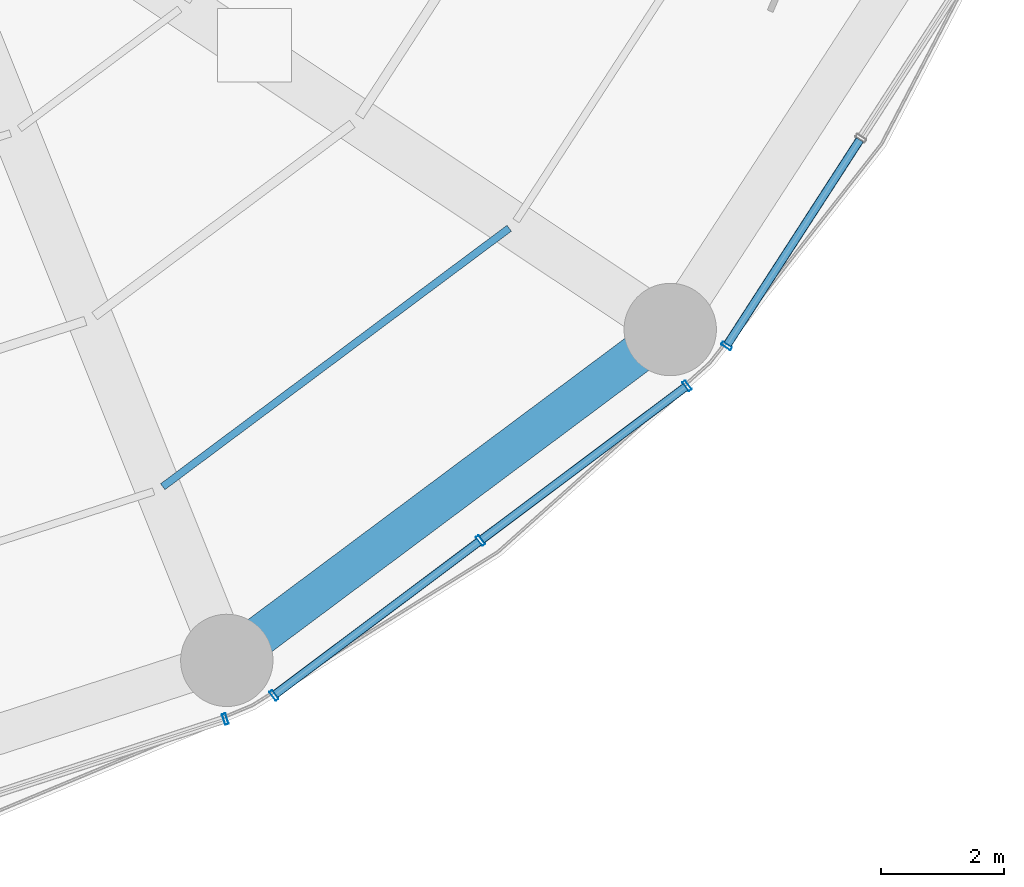
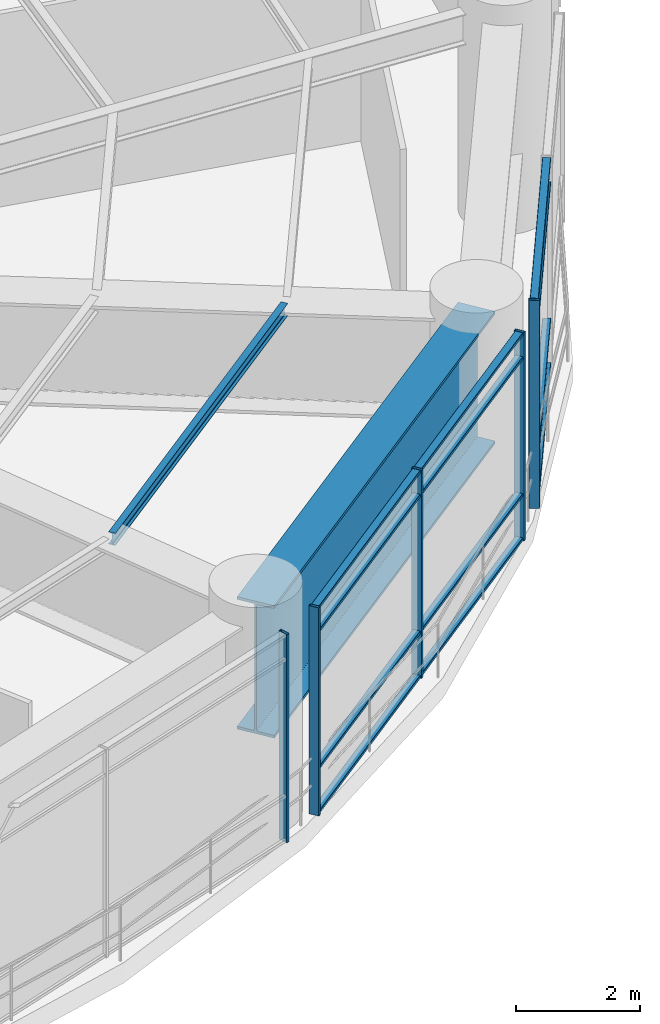
# One storey, part 20 of 52: 17 members, 2 beams, 3 elements without a shape of their own.
"""IFC4 building model written with IfcOpenShell, lengths in metres."""

from ifc_helpers import new_model, si_unit, direction, frame, origin, origin_2d, place, context, subcontext, project, spatial, hollow_rectangle, i_section, extrude, material, layer, layer_set, material_profile, profile_set, type_object, element, aggregate, save


model = new_model("IFC4")

# Units and contexts
model_context = context("Model", 3, precision=1e-05, world=origin(), true_north=direction((0.0, 1.0)))
body_context = subcontext(model_context, "Body", "Model", "MODEL_VIEW")
ifc_project = project(units=[si_unit("LENGTHUNIT", "METRE"), si_unit("AREAUNIT", "SQUARE_METRE"), si_unit("VOLUMEUNIT", "CUBIC_METRE"), si_unit("PLANEANGLEUNIT", "RADIAN"), si_unit("MASSUNIT", "GRAM", prefix="KILO")], contexts=[model_context])

# Site, building, storey
site_placement = place(None, origin())
site = spatial("IfcSite", under=ifc_project, at=site_placement, CompositionType="ELEMENT")
building_placement = place(site_placement, origin())
building = spatial("IfcBuilding", under=site, at=building_placement, Name="Kelanora Arch Commons", CompositionType="ELEMENT")
storey_placement = place(building_placement, frame((0.0, 0.0, 13.5)))
storey = spatial("IfcBuildingStorey", under=building, at=storey_placement, Name="L03", CompositionType="ELEMENT", Elevation=13.5)

# Beams
ifc_material_1 = material(Name="Steel S355", Category="steel")
ifc_material_profile_1 = material_profile(ifc_material_1, i_section(OverallWidth=0.1201171875, OverallDepth=0.239990234375, WebThickness=0.006103515625, FlangeThickness=0.009765625, FilletRadius=0.014892578125, at=origin_2d()), Name="IPE240")
ifc_profile_set_1 = profile_set([ifc_material_profile_1], Name="Steel S355")
beam_type_1 = type_object("IfcBeamType", Name="BM-JST-02", PredefinedType="JOIST", material=ifc_profile_set_1)
beam_1_placement = place(storey_placement, frame((86.5, 39.9677734375, 3.97998046875), z_axis=(0.80149131963, 0.598006408459, 0.0), x_axis=(-0.598006408459, 0.80149131963, 0.0)))
element("IfcBeam", 1, at=beam_1_placement, inside=storey, type_object=beam_type_1, Name="Secondary Chord Joist BJC-30 L03", PredefinedType="JOIST", context=body_context, shape_type="SweptSolid", body=[
    extrude(i_section(OverallWidth=0.1201171875, OverallDepth=0.239990234375, WebThickness=0.006103515625, FlangeThickness=0.009765625, FilletRadius=0.014892578125, at=origin_2d()), origin(), (0.0, 0.0, 1.0), 7.021240234375),
])
ifc_material_profile_2 = material_profile(ifc_material_1, i_section(OverallWidth=0.64990234375, OverallDepth=2.60009765625, WebThickness=0.034912109375, FlangeThickness=0.054931640625, FilletRadius=0.028076171875, at=origin_2d()), Name="PG2600x650")
ifc_profile_set_2 = profile_set([ifc_material_profile_2], Name="Steel S355")
beam_type_2 = type_object("IfcBeamType", Name="BM-XFER-ARCH", PredefinedType="USERDEFINED", material=ifc_profile_set_2)
beam_2_placement = place(storey_placement, frame((87.5400390625, 37.14599609375, 2.800048828125), z_axis=(0.801467504127, 0.598038326388, 0.0), x_axis=(-0.598038326388, 0.801467504127, 0.0)))
element("IfcBeam", 2, at=beam_2_placement, inside=storey, type_object=beam_type_2, Name="Perimeter Spandrel Beam BS-30 L03", ObjectType="TRANSFER_GIRDER", PredefinedType="USERDEFINED", context=body_context, shape_type="SweptSolid", body=[
    extrude(i_section(OverallWidth=0.64990234375, OverallDepth=2.60009765625, WebThickness=0.034912109375, FlangeThickness=0.054931640625, FilletRadius=0.028076171875, at=origin_2d()), origin(), (0.0, 0.0, 1.0), 8.989013671875),
])

# Curtain wall, member
ifc_material_2 = material(Name="Terracotta ceramic-fritted low-E glass and aluminium", Category="masonry")
ifc_layer = layer(ifc_material_2, 0.2099609375)
ifc_layer_set = layer_set([ifc_layer], Name="Terracotta ceramic-fritted low-E glass and aluminium")
curtain_wall_type = type_object("IfcCurtainWallType", Name="CW-SYS-04", PredefinedType="NOTDEFINED", material=ifc_layer_set)
curtain_wall_1_placement = place(storey_placement, origin())
curtain_wall_1 = element("IfcCurtainWall", 3, at=curtain_wall_1_placement, inside=storey, type_object=curtain_wall_type, Name="Unitised Curtain Wall L03-B14", PredefinedType="NOTDEFINED")
ifc_material_3 = material(Name="Powder-coated aluminium terracotta", Category="masonry")
ifc_material_profile_3 = material_profile(ifc_material_3, hollow_rectangle(XDim=0.179931640625, YDim=0.06005859375, WallThickness=0.0048828125, InnerFilletRadius=0.0048828125, OuterFilletRadius=0.010009765625, at=origin_2d()), Name="CWM180x60")
ifc_profile_set_3 = profile_set([ifc_material_profile_3], Name="Powder-coated aluminium terracotta")
member_type_1 = type_object("IfcMemberType", Name="CWM-HVY", PredefinedType="MULLION", material=ifc_profile_set_3)
member_1_placement = place(storey_placement, frame((87.51513671875, 36.19189453125, 0.0), z_axis=(0.0, 0.0, 1.0), x_axis=(-0.309069531911, 0.951039444211, 0.0)))
member_1 = element("IfcMember", 4, at=member_1_placement, type_object=member_type_1, Name="CW-04 mullion 3", PredefinedType="MULLION", context=body_context, shape_type="SweptSolid", body=[
    extrude(hollow_rectangle(XDim=0.179931640625, YDim=0.06005859375, WallThickness=0.0048828125, InnerFilletRadius=0.0048828125, OuterFilletRadius=0.010009765625, at=origin_2d()), origin(), (0.0, 0.0, 1.0), 4.0849609375),
])
aggregate(curtain_wall_1, [member_1])

# Curtain wall, members
curtain_wall_2_placement = place(storey_placement, origin())
curtain_wall_2 = element("IfcCurtainWall", 5, at=curtain_wall_2_placement, inside=storey, type_object=curtain_wall_type, Name="Unitised Curtain Wall L03-B15", PredefinedType="NOTDEFINED")
member_2_placement = place(storey_placement, frame((88.3056640625, 36.578369140625, 0.0), z_axis=(0.0, 0.0, 1.0), x_axis=(-0.59959262407, 0.800305369944, 0.0)))
member_2 = element("IfcMember", 6, at=member_2_placement, type_object=member_type_1, Name="CW-04 mullion 1", PredefinedType="MULLION", context=body_context, shape_type="SweptSolid", body=[
    extrude(hollow_rectangle(XDim=0.179931640625, YDim=0.06005859375, WallThickness=0.0048828125, InnerFilletRadius=0.0048828125, OuterFilletRadius=0.010009765625, at=origin_2d()), origin(), (0.0, 0.0, 1.0), 4.0849609375),
])
member_3_placement = place(storey_placement, frame((91.6611328125, 39.09228515625, 0.0), z_axis=(0.0, 0.0, 1.0), x_axis=(-0.59959262407, 0.800305369944, 0.0)))
member_3 = element("IfcMember", 7, at=member_3_placement, type_object=member_type_1, Name="CW-04 mullion 2", PredefinedType="MULLION", context=body_context, shape_type="SweptSolid", body=[
    extrude(hollow_rectangle(XDim=0.179931640625, YDim=0.06005859375, WallThickness=0.0048828125, InnerFilletRadius=0.0048828125, OuterFilletRadius=0.010009765625, at=origin_2d()), origin(), (0.0, 0.0, 1.0), 4.0849609375),
])
member_4_placement = place(storey_placement, frame((95.016845703125, 41.6064453125, 0.0), z_axis=(0.0, 0.0, 1.0), x_axis=(-0.59959262407, 0.800305369944, 0.0)))
member_4 = element("IfcMember", 8, at=member_4_placement, type_object=member_type_1, Name="CW-04 mullion 3", PredefinedType="MULLION", context=body_context, shape_type="SweptSolid", body=[
    extrude(hollow_rectangle(XDim=0.179931640625, YDim=0.06005859375, WallThickness=0.0048828125, InnerFilletRadius=0.0048828125, OuterFilletRadius=0.010009765625, at=origin_2d()), origin(), (0.0, 0.0, 1.0), 4.0849609375),
])

# Curtain wall, member
curtain_wall_3_placement = place(storey_placement, origin())
curtain_wall_3 = element("IfcCurtainWall", 9, at=curtain_wall_3_placement, inside=storey, type_object=curtain_wall_type, Name="Unitised Curtain Wall L03-B16", PredefinedType="NOTDEFINED")
member_5_placement = place(storey_placement, frame((95.659912109375, 42.25634765625, 0.0), z_axis=(0.0, 0.0, 1.0), x_axis=(-0.839728582399, 0.54300636083, 0.0)))
member_5 = element("IfcMember", 10, at=member_5_placement, type_object=member_type_1, Name="CW-04 mullion 1", PredefinedType="MULLION", context=body_context, shape_type="SweptSolid", body=[
    extrude(hollow_rectangle(XDim=0.179931640625, YDim=0.06005859375, WallThickness=0.0048828125, InnerFilletRadius=0.0048828125, OuterFilletRadius=0.010009765625, at=origin_2d()), origin(), (0.0, 0.0, 1.0), 4.0849609375),
])

# Member
ifc_material_profile_4 = material_profile(ifc_material_3, hollow_rectangle(XDim=0.139892578125, YDim=0.06005859375, WallThickness=0.0048828125, InnerFilletRadius=0.0048828125, OuterFilletRadius=0.010009765625, at=origin_2d()), Name="CWT140x60")
ifc_profile_set_4 = profile_set([ifc_material_profile_4], Name="Powder-coated aluminium terracotta")
member_type_2 = type_object("IfcMemberType", Name="CWT-HVY", PredefinedType="USERDEFINED", material=ifc_profile_set_4)
member_6_placement = place(storey_placement, frame((88.32958984375, 36.59619140625, 0.030029296875), z_axis=(0.800283447768, 0.599621883547, 0.0), x_axis=(-0.599621883547, 0.800283447768, 0.0)))
member_6 = element("IfcMember", 11, at=member_6_placement, type_object=member_type_2, Name="CW-04 transom 1.1", ObjectType="TRANSOM", PredefinedType="USERDEFINED", context=body_context, shape_type="SweptSolid", body=[
    extrude(hollow_rectangle(XDim=0.139892578125, YDim=0.06005859375, WallThickness=0.0048828125, InnerFilletRadius=0.0048828125, OuterFilletRadius=0.010009765625, at=origin_2d()), origin(), (0.0, 0.0, 1.0), 4.133056640625),
])

member_7_placement = place(storey_placement, frame((88.32958984375, 36.59619140625, 0.89990234375), z_axis=(0.800283447768, 0.599621883547, 0.0), x_axis=(-0.599621883547, 0.800283447768, 0.0)))
member_7 = element("IfcMember", 12, at=member_7_placement, type_object=member_type_2, Name="CW-04 transom 1.2", ObjectType="TRANSOM", PredefinedType="USERDEFINED", context=body_context, shape_type="SweptSolid", body=[
    extrude(hollow_rectangle(XDim=0.139892578125, YDim=0.06005859375, WallThickness=0.0048828125, InnerFilletRadius=0.0048828125, OuterFilletRadius=0.010009765625, at=origin_2d()), origin(), (0.0, 0.0, 1.0), 4.133056640625),
])

member_8_placement = place(storey_placement, frame((88.32958984375, 36.59619140625, 3.5849609375), z_axis=(0.800283447768, 0.599621883547, 0.0), x_axis=(-0.599621883547, 0.800283447768, 0.0)))
member_8 = element("IfcMember", 13, at=member_8_placement, type_object=member_type_2, Name="CW-04 transom 1.3", ObjectType="TRANSOM", PredefinedType="USERDEFINED", context=body_context, shape_type="SweptSolid", body=[
    extrude(hollow_rectangle(XDim=0.139892578125, YDim=0.06005859375, WallThickness=0.0048828125, InnerFilletRadius=0.0048828125, OuterFilletRadius=0.010009765625, at=origin_2d()), origin(), (0.0, 0.0, 1.0), 4.133056640625),
])

member_9_placement = place(storey_placement, frame((88.32958984375, 36.59619140625, 4.054931640625), z_axis=(0.800283447768, 0.599621883547, 0.0), x_axis=(-0.599621883547, 0.800283447768, 0.0)))
member_9 = element("IfcMember", 14, at=member_9_placement, type_object=member_type_2, Name="CW-04 transom 1.4", ObjectType="TRANSOM", PredefinedType="USERDEFINED", context=body_context, shape_type="SweptSolid", body=[
    extrude(hollow_rectangle(XDim=0.139892578125, YDim=0.06005859375, WallThickness=0.0048828125, InnerFilletRadius=0.0048828125, OuterFilletRadius=0.010009765625, at=origin_2d()), origin(), (0.0, 0.0, 1.0), 4.133056640625),
])

member_10_placement = place(storey_placement, frame((91.685302734375, 39.1103515625, 0.030029296875), z_axis=(0.800311793759, 0.599584049797, 0.0), x_axis=(-0.599584049797, 0.800311793759, 0.0)))
member_10 = element("IfcMember", 15, at=member_10_placement, type_object=member_type_2, Name="CW-04 transom 2.1", ObjectType="TRANSOM", PredefinedType="USERDEFINED", context=body_context, shape_type="SweptSolid", body=[
    extrude(hollow_rectangle(XDim=0.139892578125, YDim=0.06005859375, WallThickness=0.0048828125, InnerFilletRadius=0.0048828125, OuterFilletRadius=0.010009765625, at=origin_2d()), origin(), (0.0, 0.0, 1.0), 4.1328125),
])

member_11_placement = place(storey_placement, frame((91.685302734375, 39.1103515625, 0.89990234375), z_axis=(0.800311793759, 0.599584049797, 0.0), x_axis=(-0.599584049797, 0.800311793759, 0.0)))
member_11 = element("IfcMember", 16, at=member_11_placement, type_object=member_type_2, Name="CW-04 transom 2.2", ObjectType="TRANSOM", PredefinedType="USERDEFINED", context=body_context, shape_type="SweptSolid", body=[
    extrude(hollow_rectangle(XDim=0.139892578125, YDim=0.06005859375, WallThickness=0.0048828125, InnerFilletRadius=0.0048828125, OuterFilletRadius=0.010009765625, at=origin_2d()), origin(), (0.0, 0.0, 1.0), 4.1328125),
])

member_12_placement = place(storey_placement, frame((91.685302734375, 39.1103515625, 3.5849609375), z_axis=(0.800311793759, 0.599584049797, 0.0), x_axis=(-0.599584049797, 0.800311793759, 0.0)))
member_12 = element("IfcMember", 17, at=member_12_placement, type_object=member_type_2, Name="CW-04 transom 2.3", ObjectType="TRANSOM", PredefinedType="USERDEFINED", context=body_context, shape_type="SweptSolid", body=[
    extrude(hollow_rectangle(XDim=0.139892578125, YDim=0.06005859375, WallThickness=0.0048828125, InnerFilletRadius=0.0048828125, OuterFilletRadius=0.010009765625, at=origin_2d()), origin(), (0.0, 0.0, 1.0), 4.1328125),
])

member_13_placement = place(storey_placement, frame((91.685302734375, 39.1103515625, 4.054931640625), z_axis=(0.800311793759, 0.599584049797, 0.0), x_axis=(-0.599584049797, 0.800311793759, 0.0)))
member_13 = element("IfcMember", 18, at=member_13_placement, type_object=member_type_2, Name="CW-04 transom 2.4", ObjectType="TRANSOM", PredefinedType="USERDEFINED", context=body_context, shape_type="SweptSolid", body=[
    extrude(hollow_rectangle(XDim=0.139892578125, YDim=0.06005859375, WallThickness=0.0048828125, InnerFilletRadius=0.0048828125, OuterFilletRadius=0.010009765625, at=origin_2d()), origin(), (0.0, 0.0, 1.0), 4.1328125),
])

aggregate(curtain_wall_2, [member_2, member_3, member_4, member_6, member_7, member_8, member_9, member_10, member_11, member_12, member_13])

member_14_placement = place(storey_placement, frame((95.67626953125, 42.281494140625, 0.030029296875), z_axis=(0.54299796475, 0.839734011623, 0.0), x_axis=(-0.839734011623, 0.54299796475, 0.0)))
member_14 = element("IfcMember", 19, at=member_14_placement, type_object=member_type_2, Name="CW-04 transom 1.1", ObjectType="TRANSOM", PredefinedType="USERDEFINED", context=body_context, shape_type="SweptSolid", body=[
    extrude(hollow_rectangle(XDim=0.139892578125, YDim=0.06005859375, WallThickness=0.0048828125, InnerFilletRadius=0.0048828125, OuterFilletRadius=0.010009765625, at=origin_2d()), origin(), (0.0, 0.0, 1.0), 3.95654296875),
])

member_15_placement = place(storey_placement, frame((95.67626953125, 42.281494140625, 0.89990234375), z_axis=(0.54299796475, 0.839734011623, 0.0), x_axis=(-0.839734011623, 0.54299796475, 0.0)))
member_15 = element("IfcMember", 20, at=member_15_placement, type_object=member_type_2, Name="CW-04 transom 1.2", ObjectType="TRANSOM", PredefinedType="USERDEFINED", context=body_context, shape_type="SweptSolid", body=[
    extrude(hollow_rectangle(XDim=0.139892578125, YDim=0.06005859375, WallThickness=0.0048828125, InnerFilletRadius=0.0048828125, OuterFilletRadius=0.010009765625, at=origin_2d()), origin(), (0.0, 0.0, 1.0), 3.95654296875),
])

member_16_placement = place(storey_placement, frame((95.67626953125, 42.281494140625, 3.5849609375), z_axis=(0.54299796475, 0.839734011623, 0.0), x_axis=(-0.839734011623, 0.54299796475, 0.0)))
member_16 = element("IfcMember", 21, at=member_16_placement, type_object=member_type_2, Name="CW-04 transom 1.3", ObjectType="TRANSOM", PredefinedType="USERDEFINED", context=body_context, shape_type="SweptSolid", body=[
    extrude(hollow_rectangle(XDim=0.139892578125, YDim=0.06005859375, WallThickness=0.0048828125, InnerFilletRadius=0.0048828125, OuterFilletRadius=0.010009765625, at=origin_2d()), origin(), (0.0, 0.0, 1.0), 3.95654296875),
])

member_17_placement = place(storey_placement, frame((95.67626953125, 42.281494140625, 4.054931640625), z_axis=(0.54299796475, 0.839734011623, 0.0), x_axis=(-0.839734011623, 0.54299796475, 0.0)))
member_17 = element("IfcMember", 22, at=member_17_placement, type_object=member_type_2, Name="CW-04 transom 1.4", ObjectType="TRANSOM", PredefinedType="USERDEFINED", context=body_context, shape_type="SweptSolid", body=[
    extrude(hollow_rectangle(XDim=0.139892578125, YDim=0.06005859375, WallThickness=0.0048828125, InnerFilletRadius=0.0048828125, OuterFilletRadius=0.010009765625, at=origin_2d()), origin(), (0.0, 0.0, 1.0), 3.95654296875),
])

aggregate(curtain_wall_3, [member_5, member_14, member_15, member_16, member_17])

save(model, "model.ifc")
